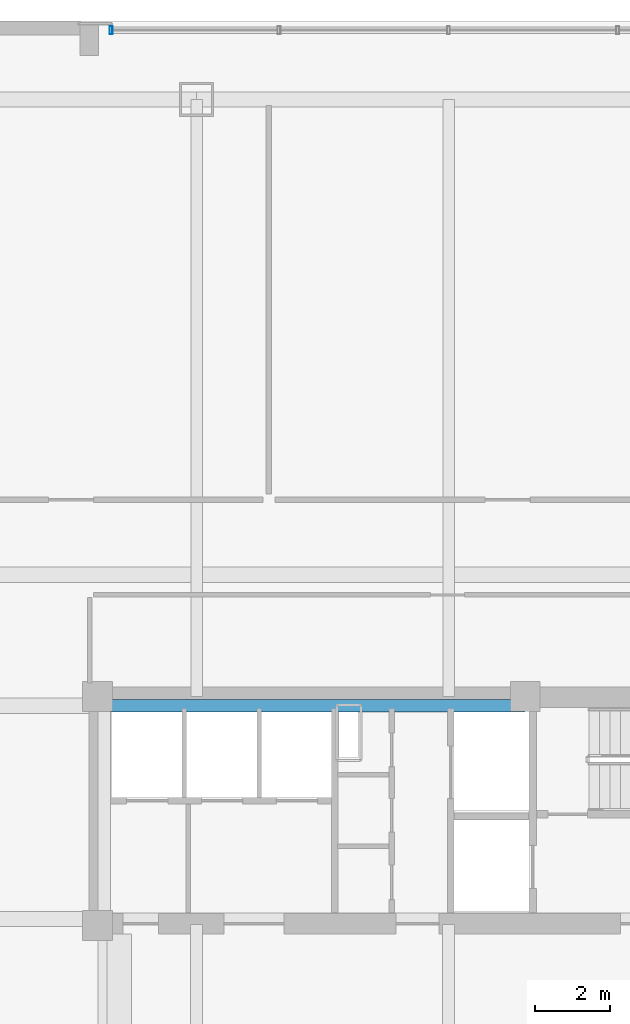
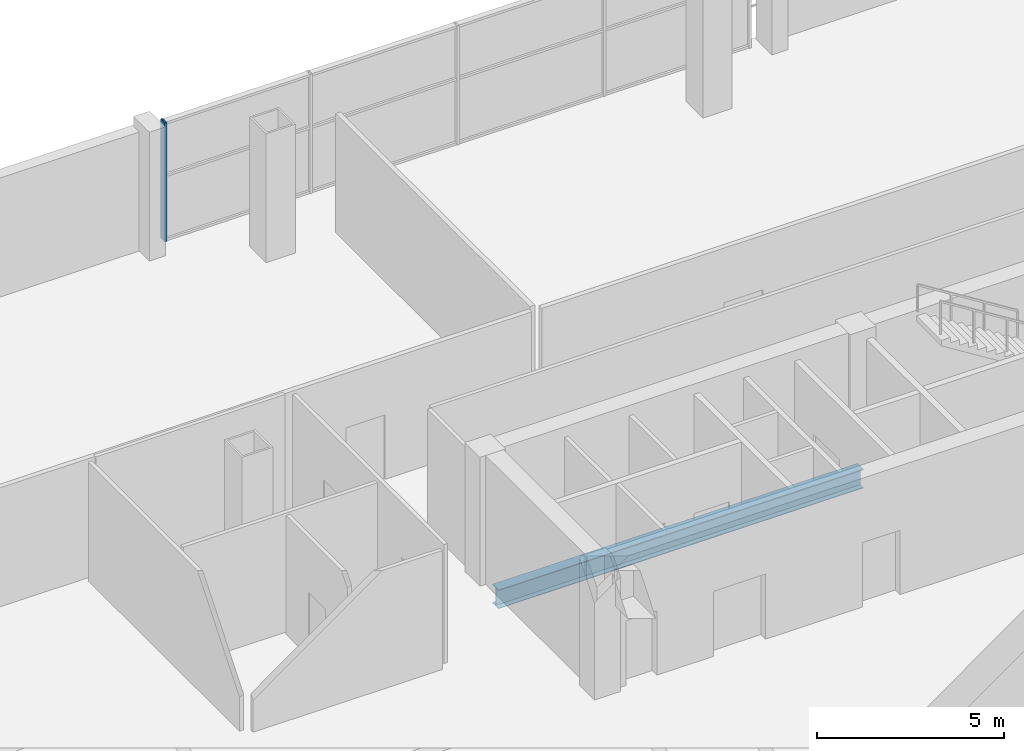
# One storey, part 8 of 21: 1 beam, 1 member, 1 element without a shape of its own.
"""IFC4 building model written with IfcOpenShell, lengths in metres."""

from ifc_helpers import new_model, si_unit, direction, frame, origin, origin_2d, place, context, subcontext, project, spatial, hollow_rectangle, i_section, extrude, material, layer, layer_set, material_profile, profile_set, type_object, element, aggregate, save


model = new_model("IFC4")

# Units and contexts
model_context = context("Model", 3, precision=1e-05, world=origin(), true_north=direction((0.0, 1.0)))
body_context = subcontext(model_context, "Body", "Model", "MODEL_VIEW")
ifc_project = project(units=[si_unit("LENGTHUNIT", "METRE"), si_unit("AREAUNIT", "SQUARE_METRE"), si_unit("VOLUMEUNIT", "CUBIC_METRE"), si_unit("PLANEANGLEUNIT", "RADIAN"), si_unit("MASSUNIT", "GRAM", prefix="KILO")], contexts=[model_context])

# Site, building, storey
site_placement = place(None, origin())
site = spatial("IfcSite", under=ifc_project, at=site_placement, CompositionType="ELEMENT")
building_placement = place(site_placement, origin())
building = spatial("IfcBuilding", under=site, at=building_placement, Name="Qhalaya Broadcast Tower", CompositionType="ELEMENT")
storey_placement = place(building_placement, frame((0.0, 0.0, 13.5)))
storey = spatial("IfcBuildingStorey", under=building, at=storey_placement, Name="L03", CompositionType="ELEMENT", Elevation=13.5)

# Beam
ifc_material_1 = material(Name="Structural Steel ASTM A992 Grade 50", Category="steel")
ifc_material_profile_1 = material_profile(ifc_material_1, i_section(OverallWidth=0.323974609375, OverallDepth=0.612060546875, WebThickness=0.0126953125, FlangeThickness=0.01904296875, at=origin_2d()), Name="W24X104")
ifc_profile_set_1 = profile_set([ifc_material_profile_1], Name="Structural Steel ASTM A992 Grade 50")
beam_type = type_object("IfcBeamType", Name="Core Frame Tie Beam B04", PredefinedType="BEAM", material=ifc_profile_set_1)
beam_placement = place(storey_placement, frame((-9.199951171875, 9.699951171875, -0.6259765625), z_axis=(1.0, 0.0, 0.0), x_axis=(0.0, 1.0, 0.0)))
element("IfcBeam", 1, at=beam_placement, inside=storey, type_object=beam_type, Name="L03 B04 L03-CCN3", PredefinedType="BEAM", context=body_context, shape_type="SweptSolid", body=[
    extrude(i_section(OverallWidth=0.323974609375, OverallDepth=0.612060546875, WebThickness=0.0126953125, FlangeThickness=0.01904296875, at=origin_2d()), origin(), (0.0, 0.0, 1.0), 11.25),
])

# Curtain wall, member
ifc_material_2 = material(Name="Solar-Control Low-E Triple Glazing", Category="glass")
ifc_layer = layer(ifc_material_2, 0.219970703125, Name="Solar-Control Low-E Triple Glazing")
ifc_layer_set = layer_set([ifc_layer], Name="Solar-Control Low-E Triple Glazing")
curtain_wall_type = type_object("IfcCurtainWallType", Name="Podium Concourse Triple-Height Glazed Portal CW-01", PredefinedType="NOTDEFINED", material=ifc_layer_set)
curtain_wall_placement = place(storey_placement, origin())
curtain_wall = element("IfcCurtainWall", 2, at=curtain_wall_placement, inside=storey, type_object=curtain_wall_type, Name="L03 Unitised Curtain Wall L03-CW01-N", PredefinedType="NOTDEFINED")
ifc_material_3 = material(Name="Anodised Aluminium 6063-T6", Category="aluminium")
ifc_material_profile_2 = material_profile(ifc_material_3, hollow_rectangle(XDim=0.074951171875, YDim=0.219970703125, WallThickness=0.00390625, at=origin_2d()), Name="ALU-MUL 75x220x4")
ifc_profile_set_2 = profile_set([ifc_material_profile_2], Name="Anodised Aluminium 6063-T6")
member_type = type_object("IfcMemberType", Name="Unitised Curtain-Wall Mullion M01", PredefinedType="MULLION", material=ifc_profile_set_2)
member_placement = place(storey_placement, frame((-9.012451171875, 27.75, 0.0), z_axis=(0.0, 0.0, 1.0), x_axis=(-1.0, 0.0, 0.0)))
member = element("IfcMember", 3, at=member_placement, type_object=member_type, Name="CW-01 mullion 5", PredefinedType="MULLION", context=body_context, shape_type="SweptSolid", body=[
    extrude(hollow_rectangle(XDim=0.074951171875, YDim=0.219970703125, WallThickness=0.00390625, at=origin_2d()), origin(), (0.0, 0.0, 1.0), 3.8798828125),
])
aggregate(curtain_wall, [member])

save(model, "model.ifc")
